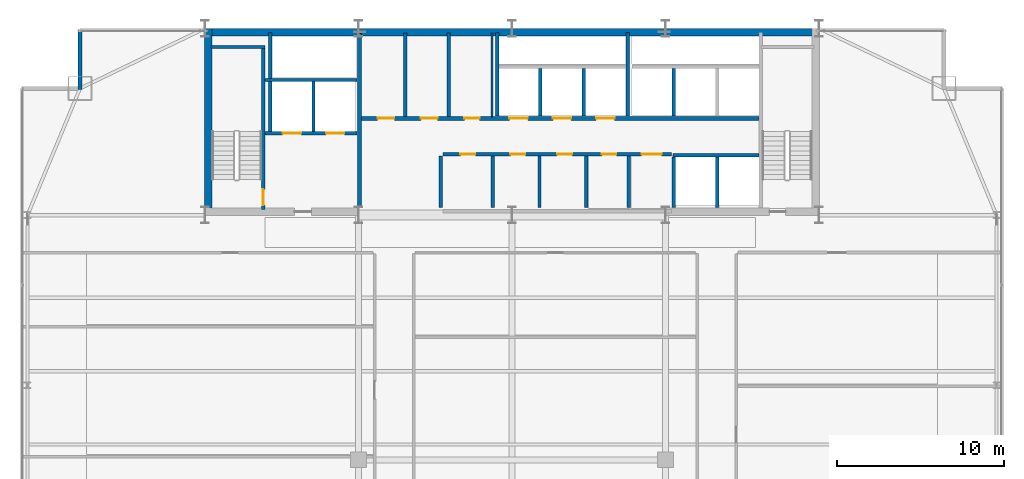
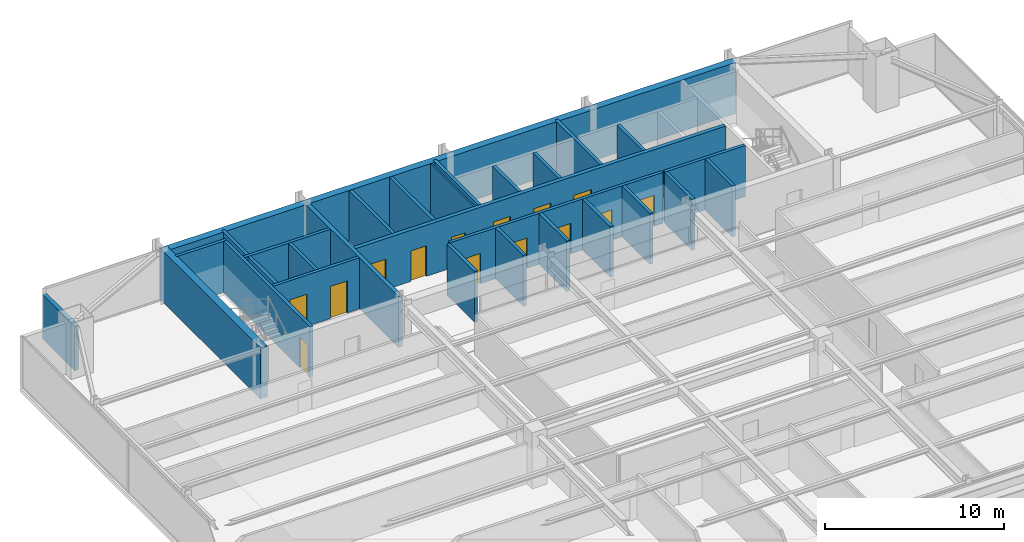
# One storey, part 30 of 33: 28 walls, 14 doors, 14 openings.
"""IFC4 building model written with IfcOpenShell, lengths in metres."""

from ifc_helpers import new_model, si_unit, direction, frame, frame_2d, origin, place, context, subcontext, project, spatial, rectangle, extrude, source, transform, mapped, material, layer, layer_set, type_object, type_shapes, element, fill, save


model = new_model("IFC4")

# Units and contexts
model_context = context("Model", 3, precision=1e-05, world=origin(), true_north=direction((0.0, 1.0)))
body_context = subcontext(model_context, "Body", "Model", "MODEL_VIEW")
ifc_project = project(units=[si_unit("LENGTHUNIT", "METRE"), si_unit("AREAUNIT", "SQUARE_METRE"), si_unit("VOLUMEUNIT", "CUBIC_METRE"), si_unit("PLANEANGLEUNIT", "RADIAN"), si_unit("MASSUNIT", "GRAM", prefix="KILO")], contexts=[model_context])

# Site, building, storey
site_placement = place(None, origin())
site = spatial("IfcSite", under=ifc_project, at=site_placement, CompositionType="ELEMENT")
building_placement = place(site_placement, origin())
building = spatial("IfcBuilding", under=site, at=building_placement, Name="Varnel Quay Broadcast Tower", CompositionType="ELEMENT")
storey_placement = place(building_placement, frame((0.0, 0.0, 137.199951171875)))
storey = spatial("IfcBuildingStorey", under=building, at=storey_placement, Name="L33", CompositionType="ELEMENT", Elevation=137.199951171875)

# Wall, opening, door
ifc_material_1 = material(Name="Concrete CSA A23.3 C50/60", Category="concrete")
ifc_layer_1 = layer(ifc_material_1, 0.199951171875, Name="Concrete CSA A23.3 C50/60")
ifc_layer_set_1 = layer_set([ifc_layer_1], Name="Concrete CSA A23.3 C50/60")
wall_type_1 = type_object("IfcWallType", Name="Wall_CoreShaftShear200", PredefinedType="SHEAR", material=ifc_layer_set_1)
wall_1_placement = place(storey_placement, frame((19.080078125, 35.949951171875, 0.0), z_axis=(0.0, 0.0, 1.0), x_axis=(0.0, 1.0, 0.0)))
wall_1 = element("IfcWall", 1, at=wall_1_placement, inside=storey, type_object=wall_type_1, Name="L33 Stair 1 East Structural Wall", PredefinedType="SHEAR", context=body_context, shape_type="SweptSolid", body=[
    extrude(rectangle(XDim=9.650146484375, YDim=0.199951171875, at=frame_2d((4.8251953125, 0.0))), origin(), (0.0, 0.0, 1.0), 3.47998046875),
])
opening_1_placement = place(wall_1_placement, frame((0.25, 0.0, 0.0)))
opening_1 = element("IfcOpeningElement", 2, at=opening_1_placement, cuts=wall_1, Name="Opening D-L33-S1", PredefinedType="OPENING", context=body_context, shape_type="SweptSolid", body=[
    extrude(rectangle(XDim=0.949951171875, YDim=2.10009765625, at=frame_2d((0.47509765625, 1.050048828125))), frame((0.0, 0.10986328125, 0.0), z_axis=(0.0, -1.0, 0.0), x_axis=(1.0, 0.0, 0.0)), (0.0, 0.0, 1.0), 0.219970703125),
])
ifc_material_2 = material(Name="Insulated Fire-Rated Hollow Steel Door", Category="steel")
door_type_1 = type_object("IfcDoorType", Name="Door_FireStair950", OperationType="NOTDEFINED", PredefinedType="DOOR", material=ifc_material_2)
shared_shape_1 = source(origin(), body_context, "Body", "SweptSolid", [
    extrude(rectangle(XDim=0.949951171875, YDim=2.10009765625, at=frame_2d((0.47509765625, 1.050048828125))), frame((0.0, 0.02490234375, 0.0), z_axis=(0.0, -1.0, 0.0), x_axis=(1.0, 0.0, 0.0)), (0.0, 0.0, 1.0), 0.050048828125),
])
type_shapes(door_type_1, [shared_shape_1])
door_1_placement = place(opening_1_placement, origin())
door_1 = element("IfcDoor", 3, at=door_1_placement, inside=storey, type_object=door_type_1, Name="L33 Stair 1 Fire Door", OperationType="SINGLE_SWING_RIGHT", OverallHeight=2.10009765625, OverallWidth=0.949951171875, PredefinedType="DOOR", context=body_context, shape_type="MappedRepresentation", body=[
    mapped(shared_shape_1, transform((0.0, 0.0, 0.0), x_axis=(1.0, 0.0, 0.0), y_axis=(0.0, 1.0, 0.0), z_axis=(0.0, 0.0, 1.0), scale=1.0)),
])
fill(opening_1, door_1)

# Wall
wall_2_placement = place(storey_placement, frame((15.949951171875, 45.679931640625, 0.0), z_axis=(0.0, 0.0, 1.0), x_axis=(1.0, 0.0, 0.0)))
element("IfcWall", 4, at=wall_2_placement, inside=storey, type_object=wall_type_1, Name="L33 Stair 1 North Structural Wall", PredefinedType="SHEAR", context=body_context, shape_type="SweptSolid", body=[
    extrude(rectangle(XDim=3.22998046875, YDim=0.199951171875, at=frame_2d((1.614990234375, 0.0))), origin(), (0.0, 0.0, 1.0), 3.47998046875),
])

# Wall, openings, doors
wall_3_placement = place(storey_placement, frame((19.199951171875, 40.5, 0.0), z_axis=(0.0, 0.0, 1.0), x_axis=(1.0, 0.0, 0.0)))
wall_3 = element("IfcWall", 5, at=wall_3_placement, inside=storey, type_object=wall_type_1, Name="L33 Firefighter Lift Shaft Front Wall", PredefinedType="SHEAR", context=body_context, shape_type="SweptSolid", body=[
    extrude(rectangle(XDim=5.52001953125, YDim=0.199951171875, at=frame_2d((2.760009765625, 0.0))), origin(), (0.0, 0.0, 1.0), 3.47998046875),
])
opening_2_placement = place(wall_3_placement, frame((1.050048828125, 0.0, 0.0)))
opening_2 = element("IfcOpeningElement", 6, at=opening_2_placement, cuts=wall_3, Name="Opening LD-L33-FE1", PredefinedType="OPENING", context=body_context, shape_type="SweptSolid", body=[
    extrude(rectangle(XDim=1.10009765625, YDim=2.179931640625, at=frame_2d((0.550048828125, 1.08984375))), frame((0.0, 0.10986328125, 0.0), z_axis=(0.0, -1.0, 0.0), x_axis=(1.0, 0.0, 0.0)), (0.0, 0.0, 1.0), 0.219970703125),
])
opening_3_placement = place(wall_3_placement, frame((3.64990234375, 0.0, 0.0)))
opening_3 = element("IfcOpeningElement", 7, at=opening_3_placement, cuts=wall_3, Name="Opening LD-L33-FE2", PredefinedType="OPENING", context=body_context, shape_type="SweptSolid", body=[
    extrude(rectangle(XDim=1.10009765625, YDim=2.179931640625, at=frame_2d((0.550048828125, 1.08984375))), frame((0.0, 0.10986328125, 0.0), z_axis=(0.0, -1.0, 0.0), x_axis=(1.0, 0.0, 0.0)), (0.0, 0.0, 1.0), 0.219970703125),
])
ifc_material_3 = material(Name="Brushed Bronze-Stainless Lift Car & Sliding Doors", Category="steel")
door_type_2 = type_object("IfcDoorType", Name="Door_LiftLanding1100", OperationType="SLIDING_TO_LEFT", PredefinedType="DOOR", material=ifc_material_3)
shared_shape_2 = source(origin(), body_context, "Body", "SweptSolid", [
    extrude(rectangle(XDim=1.10009765625, YDim=2.179931640625, at=frame_2d((0.550048828125, 1.08984375))), frame((0.0, 0.02490234375, 0.0), z_axis=(0.0, -1.0, 0.0), x_axis=(1.0, 0.0, 0.0)), (0.0, 0.0, 1.0), 0.050048828125),
])
type_shapes(door_type_2, [shared_shape_2])
door_2_placement = place(opening_2_placement, frame((1.10009765625, 0.0, 0.0), z_axis=(0.0, 0.0, 1.0), x_axis=(-1.0, 0.0, 0.0)))
door_2 = element("IfcDoor", 8, at=door_2_placement, inside=storey, type_object=door_type_2, Name="L33 Firefighter Lift FE-01 Landing Door", OperationType="SLIDING_TO_LEFT", OverallHeight=2.179931640625, OverallWidth=1.10009765625, PredefinedType="DOOR", context=body_context, shape_type="MappedRepresentation", body=[
    mapped(shared_shape_2, transform((0.0, 0.0, 0.0), x_axis=(1.0, 0.0, 0.0), y_axis=(0.0, 1.0, 0.0), z_axis=(0.0, 0.0, 1.0), scale=1.0)),
])
fill(opening_2, door_2)
door_3_placement = place(opening_3_placement, frame((1.10009765625, 0.0, 0.0), z_axis=(0.0, 0.0, 1.0), x_axis=(-1.0, 0.0, 0.0)))
door_3 = element("IfcDoor", 9, at=door_3_placement, inside=storey, type_object=door_type_2, Name="L33 Firefighter Lift FE-02 Landing Door", OperationType="SLIDING_TO_RIGHT", OverallHeight=2.179931640625, OverallWidth=1.10009765625, PredefinedType="DOOR", context=body_context, shape_type="MappedRepresentation", body=[
    mapped(shared_shape_2, transform((0.0, 0.0, 0.0), x_axis=(1.0, 0.0, 0.0), y_axis=(0.0, 1.0, 0.0), z_axis=(0.0, 0.0, 1.0), scale=1.0)),
])
fill(opening_3, door_3)

# Walls
wall_4_placement = place(storey_placement, frame((19.199951171875, 43.699951171875, 0.0), z_axis=(0.0, 0.0, 1.0), x_axis=(1.0, 0.0, 0.0)))
element("IfcWall", 10, at=wall_4_placement, inside=storey, type_object=wall_type_1, Name="L33 Firefighter Lift Shaft Rear Wall", PredefinedType="SHEAR", context=body_context, shape_type="SweptSolid", body=[
    extrude(rectangle(XDim=5.52001953125, YDim=0.199951171875, at=frame_2d((2.760009765625, 0.0))), origin(), (0.0, 0.0, 1.0), 3.47998046875),
])
wall_5_placement = place(storey_placement, frame((22.10009765625, 40.60009765625, 0.0), z_axis=(0.0, 0.0, 1.0), x_axis=(0.0, 1.0, 0.0)))
element("IfcWall", 11, at=wall_5_placement, inside=storey, type_object=wall_type_1, Name="L33 Firefighter Lift Shaft Divider", PredefinedType="SHEAR", context=body_context, shape_type="SweptSolid", body=[
    extrude(rectangle(XDim=3.0, YDim=0.199951171875, at=frame_2d((1.5, 0.0))), origin(), (0.0, 0.0, 1.0), 3.47998046875),
])
wall_6_placement = place(storey_placement, frame((19.5, 40.60009765625, 0.0), z_axis=(0.0, 0.0, 1.0), x_axis=(0.0, 1.0, 0.0)))
element("IfcWall", 12, at=wall_6_placement, inside=storey, type_object=wall_type_1, Name="L33 Firefighter Lift Shaft West Wall", PredefinedType="SHEAR", context=body_context, shape_type="SweptSolid", body=[
    extrude(rectangle(XDim=5.949951171875, YDim=0.199951171875, at=frame_2d((2.97509765625, 0.0))), origin(), (0.0, 0.0, 1.0), 3.47998046875),
])
wall_7_placement = place(storey_placement, frame((33.1201171875, 41.530029296875, 0.0), z_axis=(0.0, 0.0, 1.0), x_axis=(0.0, 1.0, 0.0)))
element("IfcWall", 13, at=wall_7_placement, inside=storey, type_object=wall_type_1, Name="L33 Mid-Rise Lift Shaft Divider 1", PredefinedType="SHEAR", context=body_context, shape_type="SweptSolid", body=[
    extrude(rectangle(XDim=5.02001953125, YDim=0.199951171875, at=frame_2d((2.510009765625, 0.0))), origin(), (0.0, 0.0, 1.0), 3.47998046875),
])
for number, where, z_axis, x_axis, name in (
    (14, (35.699951171875, 41.530029296875, 0.0), (0.0, 0.0, 1.0), (0.0, 1.0, 0.0), "L33 Mid-Rise Lift Shaft Divider 2"),
    (15, (38.300048828125, 41.530029296875, 0.0), (0.0, 0.0, 1.0), (0.0, 1.0, 0.0), "L33 Mid-Rise Lift Shaft Divider 3"),
):
    element("IfcWall", number, at=place(storey_placement, frame(where, z_axis=z_axis, x_axis=x_axis)), inside=storey, type_object=wall_type_1, Name=name, PredefinedType="SHEAR", context=body_context, shape_type="SweptSolid", body=[
        extrude(rectangle(XDim=2.869873046875, YDim=0.199951171875, at=frame_2d((1.43505859375, 0.0))), origin(), (0.0, 0.0, 1.0), 3.47998046875),
    ])
wall_8_placement = place(storey_placement, frame((40.949951171875, 41.530029296875, 0.0), z_axis=(0.0, 0.0, 1.0), x_axis=(0.0, 1.0, 0.0)))
element("IfcWall", 16, at=wall_8_placement, inside=storey, type_object=wall_type_1, Name="L33 Mid-Rise Lift Shaft Divider 4", PredefinedType="SHEAR", context=body_context, shape_type="SweptSolid", body=[
    extrude(rectangle(XDim=5.02001953125, YDim=0.199951171875, at=frame_2d((2.510009765625, 0.0))), origin(), (0.0, 0.0, 1.0), 3.47998046875),
])
wall_9_placement = place(storey_placement, frame((43.699951171875, 41.530029296875, 0.0), z_axis=(0.0, 0.0, 1.0), x_axis=(0.0, 1.0, 0.0)))
element("IfcWall", 17, at=wall_9_placement, inside=storey, type_object=wall_type_1, Name="L33 High-Rise Lift Shaft Divider 2", PredefinedType="SHEAR", context=body_context, shape_type="SweptSolid", body=[
    extrude(rectangle(XDim=2.869873046875, YDim=0.199951171875, at=frame_2d((1.43505859375, 0.0))), origin(), (0.0, 0.0, 1.0), 3.47998046875),
])
for number, where, z_axis, x_axis, name in (
    (18, (43.699951171875, 36.050048828125, 0.0), (0.0, 0.0, 1.0), (0.0, 1.0, 0.0), "L33 Express Lift Shaft West Wall"),
    (19, (46.300048828125, 36.050048828125, 0.0), (0.0, 0.0, 1.0), (0.0, 1.0, 0.0), "L33 Express Lift Shaft Divider"),
):
    element("IfcWall", number, at=place(storey_placement, frame(where, z_axis=z_axis, x_axis=x_axis)), inside=storey, type_object=wall_type_1, Name=name, PredefinedType="SHEAR", context=body_context, shape_type="SweptSolid", body=[
        extrude(rectangle(XDim=3.050048828125, YDim=0.199951171875, at=frame_2d((1.52490234375, 0.0))), origin(), (0.0, 0.0, 1.0), 3.47998046875),
    ])
wall_10_placement = place(storey_placement, frame((43.64990234375, 39.199951171875, 0.0), z_axis=(0.0, 0.0, 1.0), x_axis=(1.0, 0.0, 0.0)))
element("IfcWall", 20, at=wall_10_placement, inside=storey, type_object=wall_type_1, Name="L33 Express Lift Shaft North Front Wall", PredefinedType="SHEAR", context=body_context, shape_type="SweptSolid", body=[
    extrude(rectangle(XDim=5.150146484375, YDim=0.199951171875, at=frame_2d((2.5751953125, 0.0))), origin(), (0.0, 0.0, 1.0), 3.47998046875),
])
ifc_layer_2 = layer(ifc_material_1, 0.25, Name="Concrete CSA A23.3 C50/60")
ifc_layer_set_2 = layer_set([ifc_layer_2], Name="Concrete CSA A23.3 C50/60")
wall_type_2 = type_object("IfcWallType", Name="Wall_CoreShaftShear250", PredefinedType="SHEAR", material=ifc_layer_set_2)
wall_11_placement = place(storey_placement, frame((24.85009765625, 36.050048828125, 0.0), z_axis=(0.0, 0.0, 1.0), x_axis=(0.0, 1.0, 0.0)))
element("IfcWall", 21, at=wall_11_placement, inside=storey, type_object=wall_type_2, Name="L33 Firefighting Lobby East Structural Wall", PredefinedType="SHEAR", context=body_context, shape_type="SweptSolid", body=[
    extrude(rectangle(XDim=10.449951171875, YDim=0.25, at=frame_2d((5.22509765625, 0.0))), origin(), (0.0, 0.0, 1.0), 3.47998046875),
])

# Wall, openings, doors
wall_12_placement = place(storey_placement, frame((24.97998046875, 41.39990234375, 0.0), z_axis=(0.0, 0.0, 1.0), x_axis=(1.0, 0.0, 0.0)))
wall_12 = element("IfcWall", 22, at=wall_12_placement, inside=storey, type_object=wall_type_2, Name="L33 North Lift Bank & Reclaimed Suite Wall", PredefinedType="SHEAR", context=body_context, shape_type="SweptSolid", body=[
    extrude(rectangle(XDim=23.820068359375, YDim=0.25, at=frame_2d((11.91015625, 0.0))), origin(), (0.0, 0.0, 1.0), 3.47998046875),
])
opening_4_placement = place(wall_12_placement, frame((8.8701171875, 0.0, 0.0)))
opening_4 = element("IfcOpeningElement", 23, at=opening_4_placement, cuts=wall_12, Name="Opening LD-L33-PM-01", PredefinedType="OPENING", context=body_context, shape_type="SweptSolid", body=[
    extrude(rectangle(XDim=1.10009765625, YDim=2.179931640625, at=frame_2d((0.550048828125, 1.08984375))), frame((0.0, 0.135009765625, 0.0), z_axis=(0.0, -1.0, 0.0), x_axis=(1.0, 0.0, 0.0)), (0.0, 0.0, 1.0), 0.27001953125),
])
opening_5_placement = place(wall_12_placement, frame((11.469970703125, 0.0, 0.0)))
opening_5 = element("IfcOpeningElement", 24, at=opening_5_placement, cuts=wall_12, Name="Opening LD-L33-PM-02", PredefinedType="OPENING", context=body_context, shape_type="SweptSolid", body=[
    extrude(rectangle(XDim=1.10009765625, YDim=2.179931640625, at=frame_2d((0.550048828125, 1.08984375))), frame((0.0, 0.135009765625, 0.0), z_axis=(0.0, -1.0, 0.0), x_axis=(1.0, 0.0, 0.0)), (0.0, 0.0, 1.0), 0.27001953125),
])
opening_6_placement = place(wall_12_placement, frame((14.070068359375, 0.0, 0.0)))
opening_6 = element("IfcOpeningElement", 25, at=opening_6_placement, cuts=wall_12, Name="Opening LD-L33-PM-03", PredefinedType="OPENING", context=body_context, shape_type="SweptSolid", body=[
    extrude(rectangle(XDim=1.10009765625, YDim=2.179931640625, at=frame_2d((0.550048828125, 1.08984375))), frame((0.0, 0.135009765625, 0.0), z_axis=(0.0, -1.0, 0.0), x_axis=(1.0, 0.0, 0.0)), (0.0, 0.0, 1.0), 0.27001953125),
])
opening_7_placement = place(wall_12_placement, frame((0.9599609375, 0.0, 0.0)))
opening_7 = element("IfcOpeningElement", 26, at=opening_7_placement, cuts=wall_12, Name="Opening D-L33-RECA1", PredefinedType="OPENING", context=body_context, shape_type="SweptSolid", body=[
    extrude(rectangle(XDim=1.0, YDim=2.080078125, at=frame_2d((0.5, 1.0400390625))), frame((0.0, 0.135009765625, 0.0), z_axis=(0.0, -1.0, 0.0), x_axis=(1.0, 0.0, 0.0)), (0.0, 0.0, 1.0), 0.27001953125),
])
opening_8_placement = place(wall_12_placement, frame((3.56005859375, 0.0, 0.0)))
opening_8 = element("IfcOpeningElement", 27, at=opening_8_placement, cuts=wall_12, Name="Opening D-L33-RECA2", PredefinedType="OPENING", context=body_context, shape_type="SweptSolid", body=[
    extrude(rectangle(XDim=1.0, YDim=2.080078125, at=frame_2d((0.5, 1.0400390625))), frame((0.0, 0.135009765625, 0.0), z_axis=(0.0, -1.0, 0.0), x_axis=(1.0, 0.0, 0.0)), (0.0, 0.0, 1.0), 0.27001953125),
])
opening_9_placement = place(wall_12_placement, frame((6.159912109375, 0.0, 0.0)))
opening_9 = element("IfcOpeningElement", 28, at=opening_9_placement, cuts=wall_12, Name="Opening D-L33-RECA3", PredefinedType="OPENING", context=body_context, shape_type="SweptSolid", body=[
    extrude(rectangle(XDim=0.919921875, YDim=2.080078125, at=frame_2d((0.4599609375, 1.0400390625))), frame((0.0, 0.135009765625, 0.0), z_axis=(0.0, -1.0, 0.0), x_axis=(1.0, 0.0, 0.0)), (0.0, 0.0, 1.0), 0.27001953125),
])
door_4_placement = place(opening_4_placement, frame((1.10009765625, 0.0, 0.0), z_axis=(0.0, 0.0, 1.0), x_axis=(-1.0, 0.0, 0.0)))
door_4 = element("IfcDoor", 29, at=door_4_placement, inside=storey, type_object=door_type_2, Name="L33 Lift PM-01 Landing Door", OperationType="SLIDING_TO_LEFT", OverallHeight=2.179931640625, OverallWidth=1.10009765625, PredefinedType="DOOR", context=body_context, shape_type="MappedRepresentation", body=[
    mapped(shared_shape_2, transform((0.0, 0.0, 0.0), x_axis=(1.0, 0.0, 0.0), y_axis=(0.0, 1.0, 0.0), z_axis=(0.0, 0.0, 1.0), scale=1.0)),
])
fill(opening_4, door_4)
door_5_placement = place(opening_5_placement, frame((1.10009765625, 0.0, 0.0), z_axis=(0.0, 0.0, 1.0), x_axis=(-1.0, 0.0, 0.0)))
door_5 = element("IfcDoor", 30, at=door_5_placement, inside=storey, type_object=door_type_2, Name="L33 Lift PM-02 Landing Door", OperationType="SLIDING_TO_LEFT", OverallHeight=2.179931640625, OverallWidth=1.10009765625, PredefinedType="DOOR", context=body_context, shape_type="MappedRepresentation", body=[
    mapped(shared_shape_2, transform((0.0, 0.0, 0.0), x_axis=(1.0, 0.0, 0.0), y_axis=(0.0, 1.0, 0.0), z_axis=(0.0, 0.0, 1.0), scale=1.0)),
])
fill(opening_5, door_5)
door_6_placement = place(opening_6_placement, frame((1.10009765625, 0.0, 0.0), z_axis=(0.0, 0.0, 1.0), x_axis=(-1.0, 0.0, 0.0)))
door_6 = element("IfcDoor", 31, at=door_6_placement, inside=storey, type_object=door_type_2, Name="L33 Lift PM-03 Landing Door", OperationType="SLIDING_TO_LEFT", OverallHeight=2.179931640625, OverallWidth=1.10009765625, PredefinedType="DOOR", context=body_context, shape_type="MappedRepresentation", body=[
    mapped(shared_shape_2, transform((0.0, 0.0, 0.0), x_axis=(1.0, 0.0, 0.0), y_axis=(0.0, 1.0, 0.0), z_axis=(0.0, 0.0, 1.0), scale=1.0)),
])
fill(opening_6, door_6)
door_type_3 = type_object("IfcDoorType", Name="Door_FireLobby1000", OperationType="NOTDEFINED", PredefinedType="DOOR", material=ifc_material_2)
shared_shape_3 = source(origin(), body_context, "Body", "SweptSolid", [
    extrude(rectangle(XDim=1.0, YDim=2.080078125, at=frame_2d((0.5, 1.0400390625))), frame((0.0, 0.02490234375, 0.0), z_axis=(0.0, -1.0, 0.0), x_axis=(1.0, 0.0, 0.0)), (0.0, 0.0, 1.0), 0.050048828125),
])
type_shapes(door_type_3, [shared_shape_3])
door_7_placement = place(opening_7_placement, origin())
door_7 = element("IfcDoor", 32, at=door_7_placement, inside=storey, type_object=door_type_3, Name="L33 Ingest Rack Bay A Door", OperationType="SINGLE_SWING_LEFT", OverallHeight=2.080078125, OverallWidth=1.0, PredefinedType="DOOR", context=body_context, shape_type="MappedRepresentation", body=[
    mapped(shared_shape_3, transform((0.0, 0.0, 0.0), x_axis=(1.0, 0.0, 0.0), y_axis=(0.0, 1.0, 0.0), z_axis=(0.0, 0.0, 1.0), scale=1.0)),
])
fill(opening_7, door_7)
door_8_placement = place(opening_8_placement, origin())
door_8 = element("IfcDoor", 33, at=door_8_placement, inside=storey, type_object=door_type_3, Name="L33 Fiber Patch Bay Door", OperationType="SINGLE_SWING_RIGHT", OverallHeight=2.080078125, OverallWidth=1.0, PredefinedType="DOOR", context=body_context, shape_type="MappedRepresentation", body=[
    mapped(shared_shape_3, transform((0.0, 0.0, 0.0), x_axis=(1.0, 0.0, 0.0), y_axis=(0.0, 1.0, 0.0), z_axis=(0.0, 0.0, 1.0), scale=1.0)),
])
fill(opening_8, door_8)
ifc_material_4 = material(Name="Solid-Core Fire-Rated Acoustic Oak Veneer Door", Category="wood")
door_type_4 = type_object("IfcDoorType", Name="Door_Office920", OperationType="NOTDEFINED", PredefinedType="DOOR", material=ifc_material_4)
shared_shape_4 = source(origin(), body_context, "Body", "SweptSolid", [
    extrude(rectangle(XDim=0.919921875, YDim=2.080078125, at=frame_2d((0.4599609375, 1.0400390625))), frame((0.0, 0.02490234375, 0.0), z_axis=(0.0, -1.0, 0.0), x_axis=(1.0, 0.0, 0.0)), (0.0, 0.0, 1.0), 0.050048828125),
])
type_shapes(door_type_4, [shared_shape_4])
door_9_placement = place(opening_9_placement, origin())
door_9 = element("IfcDoor", 34, at=door_9_placement, inside=storey, type_object=door_type_4, Name="L33 Telemetry Store Door", OperationType="SINGLE_SWING_LEFT", OverallHeight=2.080078125, OverallWidth=0.919921875, PredefinedType="DOOR", context=body_context, shape_type="MappedRepresentation", body=[
    mapped(shared_shape_4, transform((0.0, 0.0, 0.0), x_axis=(1.0, 0.0, 0.0), y_axis=(0.0, 1.0, 0.0), z_axis=(0.0, 0.0, 1.0), scale=1.0)),
])
fill(opening_9, door_9)

# Walls
ifc_material_5 = material(Name="Concrete CSA A23.3 C60/75", Category="concrete")
ifc_layer_3 = layer(ifc_material_5, 0.449951171875, Name="Concrete CSA A23.3 C60/75")
ifc_layer_set_3 = layer_set([ifc_layer_3], Name="Concrete CSA A23.3 C60/75")
wall_type_3 = type_object("IfcWallType", Name="Wall_CoreShearExt450", PredefinedType="SHEAR", material=ifc_layer_set_3)
wall_13_placement = place(storey_placement, frame((15.60009765625, 46.574951171875, 0.0), z_axis=(0.0, 0.0, 1.0), x_axis=(1.0, 0.0, 0.0)))
element("IfcWall", 35, at=wall_13_placement, inside=storey, type_object=wall_type_3, Name="L33 North Core Shear Wall", PredefinedType="SHEAR", context=body_context, shape_type="SweptSolid", body=[
    extrude(rectangle(XDim=36.7998046875, YDim=0.449951171875, at=frame_2d((18.39990234375, 0.0))), origin(), (0.0, 0.0, 1.0), 3.47998046875),
])
ifc_layer_4 = layer(ifc_material_5, 0.449951171875, Name="Concrete CSA A23.3 C60/75")
ifc_layer_set_4 = layer_set([ifc_layer_4], Name="Concrete CSA A23.3 C60/75")
wall_type_4 = type_object("IfcWallType", Name="Wall_CoreShearInt450", PredefinedType="SHEAR", material=ifc_layer_set_4)
wall_14_placement = place(storey_placement, frame((15.794921875, 35.570068359375, 0.0), z_axis=(0.0, 0.0, 1.0), x_axis=(0.0, 1.0, 0.0)))
element("IfcWall", 36, at=wall_14_placement, inside=storey, type_object=wall_type_4, Name="L33 West Core Shear Wall", PredefinedType="SHEAR", context=body_context, shape_type="SweptSolid", body=[
    extrude(rectangle(XDim=11.22998046875, YDim=0.449951171875, at=frame_2d((5.614990234375, 0.0))), origin(), (0.0, 0.0, 1.0), 3.47998046875),
])
ifc_material_6 = material(Name="Precast Architectural Concrete C40/50", Category="concrete")
ifc_layer_5 = layer(ifc_material_6, 0.25, Name="Precast Architectural Concrete C40/50")
ifc_layer_set_5 = layer_set([ifc_layer_5], Name="Precast Architectural Concrete C40/50")
wall_type_5 = type_object("IfcWallType", Name="Wall_ExtTerrace250", PredefinedType="SOLIDWALL", material=ifc_layer_set_5)
wall_15_placement = place(storey_placement, frame((8.10009765625, 43.1201171875, 0.0), z_axis=(0.0, 0.0, 1.0), x_axis=(0.0, 1.0, 0.0)))
element("IfcWall", 37, at=wall_15_placement, inside=storey, type_object=wall_type_5, Name="L33 Mega-Column Notch Cladding Wall NNW2", PredefinedType="SOLIDWALL", context=body_context, shape_type="SweptSolid", body=[
    extrude(rectangle(XDim=3.599853515625, YDim=0.25, at=frame_2d((1.7998046875, 0.0))), origin(), (0.0, 0.0, 1.0), 3.0380859375),
])

# Wall, openings, doors
ifc_material_7 = material(Name="Concrete Blockwork Fire Enclosure C40/50", Category="masonry")
ifc_layer_6 = layer(ifc_material_7, 0.199951171875, Name="Concrete Blockwork Fire Enclosure C40/50")
ifc_layer_set_6 = layer_set([ifc_layer_6], Name="Concrete Blockwork Fire Enclosure C40/50")
wall_type_6 = type_object("IfcWallType", Name="Wall_FireShaft200", PredefinedType="SOLIDWALL", material=ifc_layer_set_6)
wall_16_placement = place(storey_placement, frame((29.85009765625, 39.25, 0.0), z_axis=(0.0, 0.0, 1.0), x_axis=(1.0, 0.0, 0.0)))
wall_16 = element("IfcWall", 38, at=wall_16_placement, inside=storey, type_object=wall_type_6, Name="L33 Accessible Washroom Partition 3", PredefinedType="SOLIDWALL", context=body_context, shape_type="SweptSolid", body=[
    extrude(rectangle(XDim=13.699951171875, YDim=0.199951171875, at=frame_2d((6.85009765625, 0.0))), origin(), (0.0, 0.0, 1.0), 3.4599609375),
])
opening_10_placement = place(wall_16_placement, frame((1.050048828125, 0.0, 0.0)))
opening_10 = element("IfcOpeningElement", 39, at=opening_10_placement, cuts=wall_16, Name="Opening D-L33-01", PredefinedType="OPENING", context=body_context, shape_type="SweptSolid", body=[
    extrude(rectangle(XDim=0.89990234375, YDim=2.06005859375, at=frame_2d((0.449951171875, 1.030029296875))), frame((0.0, 0.10986328125, 0.0), z_axis=(0.0, -1.0, 0.0), x_axis=(1.0, 0.0, 0.0)), (0.0, 0.0, 1.0), 0.219970703125),
])
opening_11_placement = place(wall_16_placement, frame((4.050048828125, 0.0, 0.0)))
opening_11 = element("IfcOpeningElement", 40, at=opening_11_placement, cuts=wall_16, Name="Opening D-L33-02", PredefinedType="OPENING", context=body_context, shape_type="SweptSolid", body=[
    extrude(rectangle(XDim=0.89990234375, YDim=2.06005859375, at=frame_2d((0.449951171875, 1.030029296875))), frame((0.0, 0.10986328125, 0.0), z_axis=(0.0, -1.0, 0.0), x_axis=(1.0, 0.0, 0.0)), (0.0, 0.0, 1.0), 0.219970703125),
])
opening_12_placement = place(wall_16_placement, frame((6.85009765625, 0.0, 0.0)))
opening_12 = element("IfcOpeningElement", 41, at=opening_12_placement, cuts=wall_16, Name="Opening D-L33-03", PredefinedType="OPENING", context=body_context, shape_type="SweptSolid", body=[
    extrude(rectangle(XDim=0.89990234375, YDim=2.06005859375, at=frame_2d((0.449951171875, 1.030029296875))), frame((0.0, 0.10986328125, 0.0), z_axis=(0.0, -1.0, 0.0), x_axis=(1.0, 0.0, 0.0)), (0.0, 0.0, 1.0), 0.219970703125),
])
opening_13_placement = place(wall_16_placement, frame((9.534912109375, 0.0, 0.0)))
opening_13 = element("IfcOpeningElement", 42, at=opening_13_placement, cuts=wall_16, Name="Opening D-L33-04", PredefinedType="OPENING", context=body_context, shape_type="SweptSolid", body=[
    extrude(rectangle(XDim=0.8798828125, YDim=2.06005859375, at=frame_2d((0.43994140625, 1.030029296875))), frame((0.0, 0.10986328125, 0.0), z_axis=(0.0, -1.0, 0.0), x_axis=(1.0, 0.0, 0.0)), (0.0, 0.0, 1.0), 0.219970703125),
])
opening_14_placement = place(wall_16_placement, frame((11.925048828125, 0.0, 0.0)))
opening_14 = element("IfcOpeningElement", 43, at=opening_14_placement, cuts=wall_16, Name="Opening D-L33-05", PredefinedType="OPENING", context=body_context, shape_type="SweptSolid", body=[
    extrude(rectangle(XDim=1.199951171875, YDim=2.10009765625, at=frame_2d((0.60009765625, 1.050048828125))), frame((0.0, 0.10986328125, 0.0), z_axis=(0.0, -1.0, 0.0), x_axis=(1.0, 0.0, 0.0)), (0.0, 0.0, 1.0), 0.219970703125),
])
door_type_5 = type_object("IfcDoorType", Name="Door_Washroom900", OperationType="NOTDEFINED", PredefinedType="DOOR", material=ifc_material_4)
shared_shape_5 = source(origin(), body_context, "Body", "SweptSolid", [
    extrude(rectangle(XDim=0.89990234375, YDim=2.06005859375, at=frame_2d((0.449951171875, 1.030029296875))), frame((0.0, 0.02490234375, 0.0), z_axis=(0.0, -1.0, 0.0), x_axis=(1.0, 0.0, 0.0)), (0.0, 0.0, 1.0), 0.050048828125),
])
type_shapes(door_type_5, [shared_shape_5])
door_10_placement = place(opening_10_placement, frame((0.89990234375, 0.0, 0.0), z_axis=(0.0, 0.0, 1.0), x_axis=(-1.0, 0.0, 0.0)))
door_10 = element("IfcDoor", 44, at=door_10_placement, inside=storey, type_object=door_type_5, Name="L33 Accessible Washroom Door D-L33-01", OperationType="SINGLE_SWING_RIGHT", OverallHeight=2.06005859375, OverallWidth=0.89990234375, PredefinedType="DOOR", context=body_context, shape_type="MappedRepresentation", body=[
    mapped(shared_shape_5, transform((0.0, 0.0, 0.0), x_axis=(1.0, 0.0, 0.0), y_axis=(0.0, 1.0, 0.0), z_axis=(0.0, 0.0, 1.0), scale=1.0)),
])
fill(opening_10, door_10)
door_11_placement = place(opening_11_placement, frame((0.89990234375, 0.0, 0.0), z_axis=(0.0, 0.0, 1.0), x_axis=(-1.0, 0.0, 0.0)))
door_11 = element("IfcDoor", 45, at=door_11_placement, inside=storey, type_object=door_type_5, Name="L33 West Gender-Neutral Washroom Door D-L33-02", OperationType="SINGLE_SWING_LEFT", OverallHeight=2.06005859375, OverallWidth=0.89990234375, PredefinedType="DOOR", context=body_context, shape_type="MappedRepresentation", body=[
    mapped(shared_shape_5, transform((0.0, 0.0, 0.0), x_axis=(1.0, 0.0, 0.0), y_axis=(0.0, 1.0, 0.0), z_axis=(0.0, 0.0, 1.0), scale=1.0)),
])
fill(opening_11, door_11)
door_12_placement = place(opening_12_placement, frame((0.89990234375, 0.0, 0.0), z_axis=(0.0, 0.0, 1.0), x_axis=(-1.0, 0.0, 0.0)))
door_12 = element("IfcDoor", 46, at=door_12_placement, inside=storey, type_object=door_type_5, Name="L33 East Staff Washroom Door D-L33-03", OperationType="SINGLE_SWING_RIGHT", OverallHeight=2.06005859375, OverallWidth=0.89990234375, PredefinedType="DOOR", context=body_context, shape_type="MappedRepresentation", body=[
    mapped(shared_shape_5, transform((0.0, 0.0, 0.0), x_axis=(1.0, 0.0, 0.0), y_axis=(0.0, 1.0, 0.0), z_axis=(0.0, 0.0, 1.0), scale=1.0)),
])
fill(opening_12, door_12)
door_type_6 = type_object("IfcDoorType", Name="Door_Plant1200", OperationType="NOTDEFINED", PredefinedType="DOOR", material=ifc_material_2)
shared_shape_6 = source(origin(), body_context, "Body", "SweptSolid", [
    extrude(rectangle(XDim=1.199951171875, YDim=2.10009765625, at=frame_2d((0.60009765625, 1.050048828125))), frame((0.0, 0.02490234375, 0.0), z_axis=(0.0, -1.0, 0.0), x_axis=(1.0, 0.0, 0.0)), (0.0, 0.0, 1.0), 0.050048828125),
])
type_shapes(door_type_6, [shared_shape_6])
door_13_placement = place(opening_14_placement, origin())
door_13 = element("IfcDoor", 47, at=door_13_placement, inside=storey, type_object=door_type_6, Name="L33 Telecom IDF Closet Door D-L33-05", OperationType="SINGLE_SWING_RIGHT", OverallHeight=2.10009765625, OverallWidth=1.199951171875, PredefinedType="DOOR", context=body_context, shape_type="MappedRepresentation", body=[
    mapped(shared_shape_6, transform((0.0, 0.0, 0.0), x_axis=(1.0, 0.0, 0.0), y_axis=(0.0, 1.0, 0.0), z_axis=(0.0, 0.0, 1.0), scale=1.0)),
])
fill(opening_14, door_13)
door_type_7 = type_object("IfcDoorType", Name="Door_Booth880", OperationType="NOTDEFINED", PredefinedType="DOOR", material=ifc_material_4)
shared_shape_7 = source(origin(), body_context, "Body", "SweptSolid", [
    extrude(rectangle(XDim=0.8798828125, YDim=2.06005859375, at=frame_2d((0.43994140625, 1.030029296875))), frame((0.0, 0.02490234375, 0.0), z_axis=(0.0, -1.0, 0.0), x_axis=(1.0, 0.0, 0.0)), (0.0, 0.0, 1.0), 0.050048828125),
])
type_shapes(door_type_7, [shared_shape_7])
door_14_placement = place(opening_13_placement, frame((0.8798828125, 0.0, 0.0), z_axis=(0.0, 0.0, 1.0), x_axis=(-1.0, 0.0, 0.0)))
door_14 = element("IfcDoor", 48, at=door_14_placement, inside=storey, type_object=door_type_7, Name="L33 Cleaners' & Linen Store Door D-L33-04", OperationType="SINGLE_SWING_LEFT", OverallHeight=2.06005859375, OverallWidth=0.8798828125, PredefinedType="DOOR", context=body_context, shape_type="MappedRepresentation", body=[
    mapped(shared_shape_7, transform((0.0, 0.0, 0.0), x_axis=(1.0, 0.0, 0.0), y_axis=(0.0, 1.0, 0.0), z_axis=(0.0, 0.0, 1.0), scale=1.0)),
])
fill(opening_13, door_14)

# Walls
wall_17_placement = place(storey_placement, frame((41.0, 36.050048828125, 0.0), z_axis=(0.0, 0.0, 1.0), x_axis=(0.0, 1.0, 0.0)))
element("IfcWall", 49, at=wall_17_placement, inside=storey, type_object=wall_type_6, Name="L33 Cleaners' & Linen Store Partition 7", PredefinedType="SOLIDWALL", context=body_context, shape_type="SweptSolid", body=[
    extrude(rectangle(XDim=3.099853515625, YDim=0.199951171875, at=frame_2d((1.5498046875, 0.0))), origin(), (0.0, 0.0, 1.0), 3.4599609375),
])
for number, where, z_axis, x_axis, name in (
    (50, (27.60009765625, 41.5, 0.0), (0.0, 0.0, 1.0), (0.0, 1.0, 0.0), "L33 Ingest Rack Bay A Partition 26"),
    (51, (30.199951171875, 41.5, 0.0), (0.0, 0.0, 1.0), (0.0, 1.0, 0.0), "L33 Fiber Patch Bay Partition 27"),
):
    element("IfcWall", number, at=place(storey_placement, frame(where, z_axis=z_axis, x_axis=x_axis)), inside=storey, type_object=wall_type_6, Name=name, PredefinedType="SOLIDWALL", context=body_context, shape_type="SweptSolid", body=[
        extrude(rectangle(XDim=5.02001953125, YDim=0.199951171875, at=frame_2d((2.510009765625, 0.0))), origin(), (0.0, 0.0, 1.0), 3.4599609375),
    ])
ifc_material_8 = material(Name="Steel-Stud Fire-Rated Acoustic Gypsum Partition Assembly", Category="steel")
ifc_layer_7 = layer(ifc_material_8, 0.10498046875, Name="Steel-Stud Fire-Rated Acoustic Gypsum Partition Assembly")
ifc_layer_set_7 = layer_set([ifc_layer_7], Name="Steel-Stud Fire-Rated Acoustic Gypsum Partition Assembly")
wall_type_7 = type_object("IfcWallType", Name="Wall_Partition105", PredefinedType="PARTITIONING", material=ifc_layer_set_7)
wall_18_placement = place(storey_placement, frame((32.800048828125, 41.5, 0.0), z_axis=(0.0, 0.0, 1.0), x_axis=(0.0, 1.0, 0.0)))
element("IfcWall", 52, at=wall_18_placement, inside=storey, type_object=wall_type_7, Name="L33 Telemetry Store Partition 28", PredefinedType="PARTITIONING", context=body_context, shape_type="SweptSolid", body=[
    extrude(rectangle(XDim=5.02001953125, YDim=0.10498046875, at=frame_2d((2.510009765625, 0.0))), origin(), (0.0, 0.0, 1.0), 3.4599609375),
])
ifc_material_9 = material(Name="Fire-Rated Moisture-Resistant Plumbing Chase Partition")
ifc_layer_8 = layer(ifc_material_9, 0.199951171875, Name="Fire-Rated Moisture-Resistant Plumbing Chase Partition")
ifc_layer_set_8 = layer_set([ifc_layer_8], Name="Fire-Rated Moisture-Resistant Plumbing Chase Partition")
wall_type_8 = type_object("IfcWallType", Name="Wall_Plumbing200", PredefinedType="PLUMBINGWALL", material=ifc_layer_set_8)
for number, where, z_axis, x_axis, name in (
    (53, (32.85009765625, 36.050048828125, 0.0), (0.0, 0.0, 1.0), (0.0, 1.0, 0.0), "L33 Accessible Washroom Partition 2"),
    (54, (29.72509765625, 36.050048828125, 0.0), (0.0, 0.0, 1.0), (0.0, 1.0, 0.0), "L33 Accessible Washroom Partition 4"),
    (55, (35.64990234375, 36.050048828125, 0.0), (0.0, 0.0, 1.0), (0.0, 1.0, 0.0), "L33 West Gender-Neutral Washroom Partition 5"),
    (56, (38.449951171875, 36.050048828125, 0.0), (0.0, 0.0, 1.0), (0.0, 1.0, 0.0), "L33 East Staff Washroom Partition 6"),
):
    element("IfcWall", number, at=place(storey_placement, frame(where, z_axis=z_axis, x_axis=x_axis)), inside=storey, type_object=wall_type_8, Name=name, PredefinedType="PLUMBINGWALL", context=body_context, shape_type="SweptSolid", body=[
        extrude(rectangle(XDim=3.099853515625, YDim=0.199951171875, at=frame_2d((1.5498046875, 0.0))), origin(), (0.0, 0.0, 1.0), 3.4599609375),
    ])

save(model, "model.ifc")
